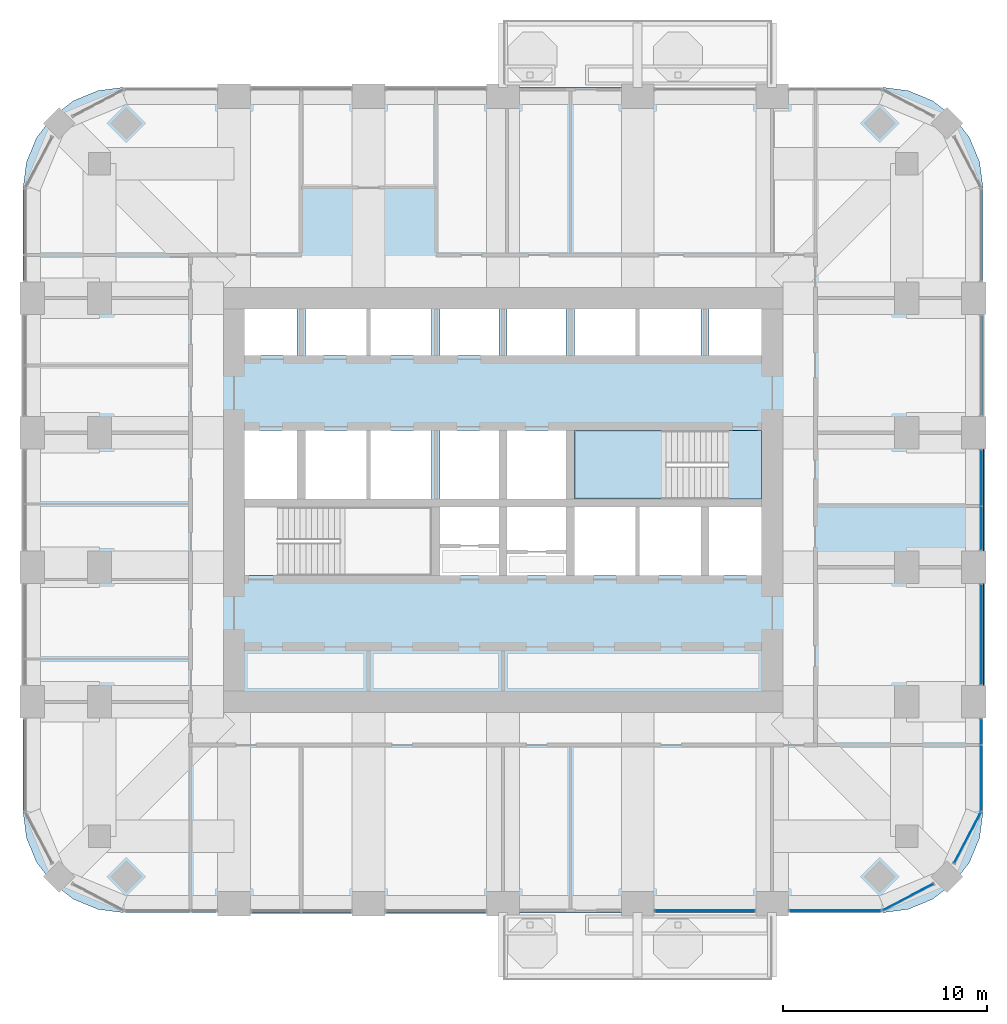
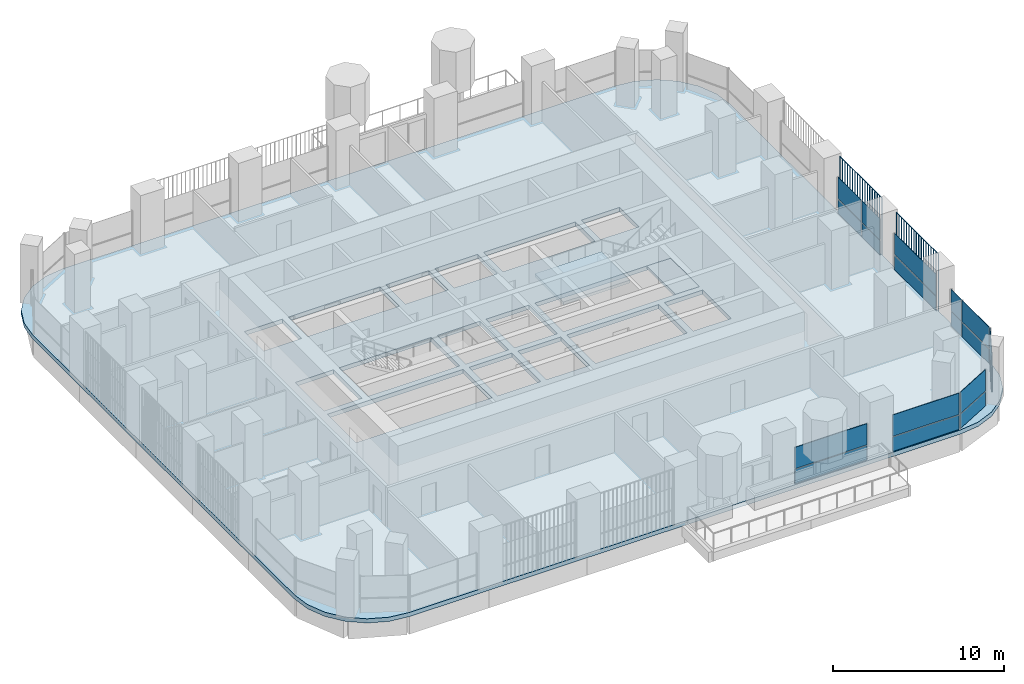
# One storey, part 10 of 20: 20 plates, 3 slabs, 8 elements without a shape of their own.
"""IFC4 building model written with IfcOpenShell, lengths in metres."""

from ifc_helpers import new_model, si_unit, direction, frame, origin, origin_2d, place, context, subcontext, project, spatial, polyline, rectangle, outline, extrude, material, layer, layer_set, type_object, element, aggregate, save


model = new_model("IFC4")

# Units and contexts
model_context = context("Model", 3, precision=1e-05, world=origin(), true_north=direction((0.0, 1.0)))
body_context = subcontext(model_context, "Body", "Model", "MODEL_VIEW")
ifc_project = project(units=[si_unit("LENGTHUNIT", "METRE"), si_unit("AREAUNIT", "SQUARE_METRE"), si_unit("VOLUMEUNIT", "CUBIC_METRE"), si_unit("PLANEANGLEUNIT", "RADIAN"), si_unit("MASSUNIT", "GRAM", prefix="KILO")], contexts=[model_context])

# Site, building, storey
site_placement = place(None, origin())
site = spatial("IfcSite", under=ifc_project, at=site_placement, CompositionType="ELEMENT")
building_placement = place(site_placement, origin())
building = spatial("IfcBuilding", under=site, at=building_placement, Name="Cobogo Forest Laboratory Tower", CompositionType="ELEMENT")
storey_placement = place(building_placement, frame((0.0, 0.0, 214.5)))
storey = spatial("IfcBuildingStorey", under=building, at=storey_placement, Name="L49", CompositionType="ELEMENT", Elevation=214.5)

# Slab
ifc_material_1 = material(Name="Concrete HA-40 (C40/50)", Category="concrete")
ifc_layer_1 = layer(ifc_material_1, 0.300048828125)
ifc_layer_set_1 = layer_set([ifc_layer_1], Name="Floor slab 300")
slab_type_1 = type_object("IfcSlabType", Name="Floor slab 300", PredefinedType="FLOOR", material=ifc_layer_set_1)
slab_1_placement = place(storey_placement, frame((0.0, 0.0, -0.300048828125)))
element("IfcSlab", 1, at=slab_1_placement, inside=storey, type_object=slab_type_1, Name="L49 floor slab", PredefinedType="FLOOR", context=body_context, shape_type="SweptSolid", body=[
    extrude(outline(polyline([(45.0, 2.85009765625), (46.28125, 3.0185546875), (47.47509765625, 3.51318359375), (48.500244140625, 4.2998046875), (49.286865234375, 5.324951171875), (49.78125, 6.518798828125), (49.949951171875, 7.800048828125), (49.949951171875, 38.39990234375), (49.78125, 39.68115234375), (49.286865234375, 40.875), (48.500244140625, 41.900146484375), (47.47509765625, 42.686767578125), (46.28125, 43.181396484375), (45.0, 43.35009765625), (7.800048828125, 43.35009765625), (6.518798828125, 43.181396484375), (5.324951171875, 42.686767578125), (4.2998046875, 41.900146484375), (3.51318359375, 40.875), (3.0185546875, 39.68115234375), (2.85009765625, 38.39990234375), (2.85009765625, 7.800048828125), (3.0185546875, 6.518798828125), (3.51318359375, 5.324951171875), (4.2998046875, 4.2998046875), (5.324951171875, 3.51318359375), (6.518798828125, 3.0185546875), (7.800048828125, 2.85009765625), (45.0, 2.85009765625)]), holes=[polyline([(22.89990234375, 19.39990234375), (13.72509765625, 19.39990234375), (13.72509765625, 22.75), (22.89990234375, 22.75), (22.89990234375, 19.39990234375)]), polyline([(26.199951171875, 19.39990234375), (23.300048828125, 19.39990234375), (23.300048828125, 22.75), (26.199951171875, 22.75), (26.199951171875, 19.39990234375)]), polyline([(29.5, 19.39990234375), (26.60009765625, 19.39990234375), (26.60009765625, 22.75), (29.5, 22.75), (29.5, 19.39990234375)]), polyline([(36.10009765625, 22.75), (36.10009765625, 19.39990234375), (29.89990234375, 19.39990234375), (29.89990234375, 22.75), (36.10009765625, 22.75)]), polyline([(36.5, 19.39990234375), (36.5, 22.75), (39.074951171875, 22.75), (39.074951171875, 19.39990234375), (36.5, 19.39990234375)]), polyline([(16.300048828125, 23.14990234375), (13.72509765625, 23.14990234375), (13.72509765625, 26.5), (16.300048828125, 26.5), (16.300048828125, 23.14990234375)]), polyline([(22.89990234375, 26.5), (22.89990234375, 23.14990234375), (16.699951171875, 23.14990234375), (16.699951171875, 26.5), (22.89990234375, 26.5)]), polyline([(26.199951171875, 23.14990234375), (23.300048828125, 23.14990234375), (23.300048828125, 26.5), (26.199951171875, 26.5), (26.199951171875, 23.14990234375)]), polyline([(26.60009765625, 23.14990234375), (26.60009765625, 26.5), (29.5, 26.5), (29.5, 23.14990234375), (26.60009765625, 23.14990234375)]), polyline([(39.074951171875, 23.14990234375), (29.89990234375, 23.14990234375), (29.89990234375, 26.5), (39.074951171875, 26.5), (39.074951171875, 23.14990234375)]), polyline([(16.300048828125, 30.199951171875), (13.72509765625, 30.199951171875), (13.72509765625, 32.47509765625), (16.300048828125, 32.47509765625), (16.300048828125, 30.199951171875)]), polyline([(22.89990234375, 32.47509765625), (22.89990234375, 30.199951171875), (16.699951171875, 30.199951171875), (16.699951171875, 32.47509765625), (22.89990234375, 32.47509765625)]), polyline([(23.300048828125, 30.199951171875), (23.300048828125, 32.47509765625), (26.199951171875, 32.47509765625), (26.199951171875, 30.199951171875), (23.300048828125, 30.199951171875)]), polyline([(29.5, 30.199951171875), (26.60009765625, 30.199951171875), (26.60009765625, 32.47509765625), (29.5, 32.47509765625), (29.5, 30.199951171875)]), polyline([(36.10009765625, 32.47509765625), (36.10009765625, 30.199951171875), (29.89990234375, 30.199951171875), (29.89990234375, 32.47509765625), (36.10009765625, 32.47509765625)]), polyline([(36.5, 30.199951171875), (36.5, 32.47509765625), (39.074951171875, 32.47509765625), (39.074951171875, 30.199951171875), (36.5, 30.199951171875)])]), origin(), (0.0, 0.0, 1.0), 0.300048828125),
])

# Curtain wall, plates
ifc_material_2 = material(Name="Aluminium curtain wall", Category="aluminium")
curtain_wall_type = type_object("IfcCurtainWallType", Name="CW-2 unitised curtain wall, solar control glazing, laboratory floors zones C and D", PredefinedType="USERDEFINED", material=ifc_material_2)
curtain_wall_1_placement = place(storey_placement, origin())
curtain_wall_1 = element("IfcCurtainWall", 2, at=curtain_wall_1_placement, inside=storey, type_object=curtain_wall_type, Name="Curtain wall 05 L49", ObjectType="UNITISED CURTAIN WALL", PredefinedType="USERDEFINED")
ifc_material_3 = material(Name="Solar control insulated glass", Category="glass")
ifc_layer_2 = layer(ifc_material_3, 0.031982421875)
ifc_layer_set_2 = layer_set([ifc_layer_2], Name="GP-2 solar control glass unit 32")
plate_type_1 = type_object("IfcPlateType", Name="GP-2 solar control glass unit 32", PredefinedType="CURTAIN_PANEL", material=ifc_layer_set_2)
plate_1_placement = place(storey_placement, frame((36.300048828125, 2.949951171875, 0.0), z_axis=(0.0, 0.0, 1.0), x_axis=(1.0, 0.0, 0.0)))
plate_1 = element("IfcPlate", 3, at=plate_1_placement, type_object=plate_type_1, Name="CW-2 panel 1.1", PredefinedType="CURTAIN_PANEL", context=body_context, shape_type="SweptSolid", body=[
    extrude(rectangle(XDim=4.8798828125, YDim=0.031982421875, at=origin_2d()), origin(), (0.0, 0.0, 1.0), 1.02001953125),
])
plate_2_placement = place(storey_placement, frame((36.300048828125, 2.949951171875, 1.080078125), z_axis=(0.0, 0.0, 1.0), x_axis=(1.0, 0.0, 0.0)))
plate_2 = element("IfcPlate", 4, at=plate_2_placement, type_object=plate_type_1, Name="CW-2 panel 1.2", PredefinedType="CURTAIN_PANEL", context=body_context, shape_type="SweptSolid", body=[
    extrude(rectangle(XDim=4.8798828125, YDim=0.031982421875, at=origin_2d()), origin(), (0.0, 0.0, 1.0), 1.52001953125),
])
aggregate(curtain_wall_1, [plate_1, plate_2])

curtain_wall_2_placement = place(storey_placement, origin())
curtain_wall_2 = element("IfcCurtainWall", 5, at=curtain_wall_2_placement, inside=storey, type_object=curtain_wall_type, Name="Curtain wall 06 L49", ObjectType="UNITISED CURTAIN WALL", PredefinedType="USERDEFINED")
plate_3_placement = place(storey_placement, frame((42.699951171875, 2.949951171875, 0.0), z_axis=(0.0, 0.0, 1.0), x_axis=(1.0, 0.0, 0.0)))
plate_3 = element("IfcPlate", 6, at=plate_3_placement, type_object=plate_type_1, Name="CW-2 panel 1.1", PredefinedType="CURTAIN_PANEL", context=body_context, shape_type="SweptSolid", body=[
    extrude(rectangle(XDim=4.47998046875, YDim=0.031982421875, at=origin_2d()), origin(), (0.0, 0.0, 1.0), 1.02001953125),
])
plate_4_placement = place(storey_placement, frame((42.699951171875, 2.949951171875, 1.080078125), z_axis=(0.0, 0.0, 1.0), x_axis=(1.0, 0.0, 0.0)))
plate_4 = element("IfcPlate", 7, at=plate_4_placement, type_object=plate_type_1, Name="CW-2 panel 1.2", PredefinedType="CURTAIN_PANEL", context=body_context, shape_type="SweptSolid", body=[
    extrude(rectangle(XDim=4.47998046875, YDim=0.031982421875, at=origin_2d()), origin(), (0.0, 0.0, 1.0), 1.52001953125),
])
aggregate(curtain_wall_2, [plate_3, plate_4])

curtain_wall_3_placement = place(storey_placement, origin())
curtain_wall_3 = element("IfcCurtainWall", 8, at=curtain_wall_3_placement, inside=storey, type_object=curtain_wall_type, Name="Curtain wall 07 L49", ObjectType="UNITISED CURTAIN WALL", PredefinedType="USERDEFINED")
plate_5_placement = place(storey_placement, frame((46.275634765625, 3.61865234375, 0.0), z_axis=(0.0, 0.0, 1.0), x_axis=(0.885686484356, 0.464283804832, 0.0)))
plate_5 = element("IfcPlate", 9, at=plate_5_placement, type_object=plate_type_1, Name="CW-2 panel 1.1", PredefinedType="CURTAIN_PANEL", context=body_context, shape_type="SweptSolid", body=[
    extrude(rectangle(XDim=2.76025390625, YDim=0.031982421875, at=origin_2d()), origin(), (0.0, 0.0, 1.0), 1.02001953125),
])
plate_6_placement = place(storey_placement, frame((46.275634765625, 3.61865234375, 1.080078125), z_axis=(0.0, 0.0, 1.0), x_axis=(0.885686484356, 0.464283804832, 0.0)))
plate_6 = element("IfcPlate", 10, at=plate_6_placement, type_object=plate_type_1, Name="CW-2 panel 1.2", PredefinedType="CURTAIN_PANEL", context=body_context, shape_type="SweptSolid", body=[
    extrude(rectangle(XDim=2.76025390625, YDim=0.031982421875, at=origin_2d()), origin(), (0.0, 0.0, 1.0), 1.52001953125),
])
aggregate(curtain_wall_3, [plate_5, plate_6])

curtain_wall_4_placement = place(storey_placement, origin())
curtain_wall_4 = element("IfcCurtainWall", 11, at=curtain_wall_4_placement, inside=storey, type_object=curtain_wall_type, Name="Curtain wall 08 L49", ObjectType="UNITISED CURTAIN WALL", PredefinedType="USERDEFINED")
plate_7_placement = place(storey_placement, frame((49.181396484375, 6.5244140625, 0.0), z_axis=(0.0, 0.0, 1.0), x_axis=(0.464283804832, 0.885686484356, 0.0)))
plate_7 = element("IfcPlate", 12, at=plate_7_placement, type_object=plate_type_1, Name="CW-2 panel 1.1", PredefinedType="CURTAIN_PANEL", context=body_context, shape_type="SweptSolid", body=[
    extrude(rectangle(XDim=2.76025390625, YDim=0.031982421875, at=origin_2d()), origin(), (0.0, 0.0, 1.0), 1.02001953125),
])
plate_8_placement = place(storey_placement, frame((49.181396484375, 6.5244140625, 1.080078125), z_axis=(0.0, 0.0, 1.0), x_axis=(0.464283804832, 0.885686484356, 0.0)))
plate_8 = element("IfcPlate", 13, at=plate_8_placement, type_object=plate_type_1, Name="CW-2 panel 1.2", PredefinedType="CURTAIN_PANEL", context=body_context, shape_type="SweptSolid", body=[
    extrude(rectangle(XDim=2.76025390625, YDim=0.031982421875, at=origin_2d()), origin(), (0.0, 0.0, 1.0), 1.52001953125),
])
aggregate(curtain_wall_4, [plate_7, plate_8])

curtain_wall_5_placement = place(storey_placement, origin())
curtain_wall_5 = element("IfcCurtainWall", 14, at=curtain_wall_5_placement, inside=storey, type_object=curtain_wall_type, Name="Curtain wall 09 L49", ObjectType="UNITISED CURTAIN WALL", PredefinedType="USERDEFINED")
plate_9_placement = place(storey_placement, frame((49.85009765625, 9.452392578125, 0.0), z_axis=(0.0, 0.0, 1.0), x_axis=(0.0, 1.0, 0.0)))
plate_9 = element("IfcPlate", 15, at=plate_9_placement, type_object=plate_type_1, Name="CW-2 panel 1.1", PredefinedType="CURTAIN_PANEL", context=body_context, shape_type="SweptSolid", body=[
    extrude(rectangle(XDim=3.18505859375, YDim=0.031982421875, at=origin_2d()), origin(), (0.0, 0.0, 1.0), 1.02001953125),
])
plate_10_placement = place(storey_placement, frame((49.85009765625, 9.452392578125, 1.080078125), z_axis=(0.0, 0.0, 1.0), x_axis=(0.0, 1.0, 0.0)))
plate_10 = element("IfcPlate", 16, at=plate_10_placement, type_object=plate_type_1, Name="CW-2 panel 1.2", PredefinedType="CURTAIN_PANEL", context=body_context, shape_type="SweptSolid", body=[
    extrude(rectangle(XDim=3.18505859375, YDim=0.031982421875, at=origin_2d()), origin(), (0.0, 0.0, 1.0), 1.52001953125),
])
plate_11_placement = place(storey_placement, frame((49.85009765625, 11.722412109375, 0.0), z_axis=(0.0, 0.0, 1.0), x_axis=(0.0, 1.0, 0.0)))
plate_11 = element("IfcPlate", 17, at=plate_11_placement, type_object=plate_type_1, Name="CW-2 panel 2.1", PredefinedType="CURTAIN_PANEL", context=body_context, shape_type="SweptSolid", body=[
    extrude(rectangle(XDim=1.235107421875, YDim=0.031982421875, at=origin_2d()), origin(), (0.0, 0.0, 1.0), 1.02001953125),
])
plate_12_placement = place(storey_placement, frame((49.85009765625, 11.722412109375, 1.080078125), z_axis=(0.0, 0.0, 1.0), x_axis=(0.0, 1.0, 0.0)))
plate_12 = element("IfcPlate", 18, at=plate_12_placement, type_object=plate_type_1, Name="CW-2 panel 2.2", PredefinedType="CURTAIN_PANEL", context=body_context, shape_type="SweptSolid", body=[
    extrude(rectangle(XDim=1.235107421875, YDim=0.031982421875, at=origin_2d()), origin(), (0.0, 0.0, 1.0), 1.52001953125),
])
aggregate(curtain_wall_5, [plate_9, plate_10, plate_11, plate_12])

curtain_wall_6_placement = place(storey_placement, origin())
curtain_wall_6 = element("IfcCurtainWall", 19, at=curtain_wall_6_placement, inside=storey, type_object=curtain_wall_type, Name="Curtain wall 10 L49", ObjectType="UNITISED CURTAIN WALL", PredefinedType="USERDEFINED")
plate_13_placement = place(storey_placement, frame((49.85009765625, 16.5, 0.0), z_axis=(0.0, 0.0, 1.0), x_axis=(0.0, 1.0, 0.0)))
plate_13 = element("IfcPlate", 20, at=plate_13_placement, type_object=plate_type_1, Name="CW-2 panel 1.1", PredefinedType="CURTAIN_PANEL", context=body_context, shape_type="SweptSolid", body=[
    extrude(rectangle(XDim=4.8798828125, YDim=0.031982421875, at=origin_2d()), origin(), (0.0, 0.0, 1.0), 1.02001953125),
])
plate_14_placement = place(storey_placement, frame((49.85009765625, 16.5, 1.080078125), z_axis=(0.0, 0.0, 1.0), x_axis=(0.0, 1.0, 0.0)))
plate_14 = element("IfcPlate", 21, at=plate_14_placement, type_object=plate_type_1, Name="CW-2 panel 1.2", PredefinedType="CURTAIN_PANEL", context=body_context, shape_type="SweptSolid", body=[
    extrude(rectangle(XDim=4.8798828125, YDim=0.031982421875, at=origin_2d()), origin(), (0.0, 0.0, 1.0), 1.52001953125),
])
aggregate(curtain_wall_6, [plate_13, plate_14])

curtain_wall_7_placement = place(storey_placement, origin())
curtain_wall_7 = element("IfcCurtainWall", 22, at=curtain_wall_7_placement, inside=storey, type_object=curtain_wall_type, Name="Curtain wall 11 L49", ObjectType="UNITISED CURTAIN WALL", PredefinedType="USERDEFINED")
plate_15_placement = place(storey_placement, frame((49.85009765625, 21.715087890625, 0.0), z_axis=(0.0, 0.0, 1.0), x_axis=(0.0, 1.0, 0.0)))
plate_15 = element("IfcPlate", 23, at=plate_15_placement, type_object=plate_type_1, Name="CW-2 panel 1.1", PredefinedType="CURTAIN_PANEL", context=body_context, shape_type="SweptSolid", body=[
    extrude(rectangle(XDim=2.110107421875, YDim=0.031982421875, at=origin_2d()), origin(), (0.0, 0.0, 1.0), 1.02001953125),
])
plate_16_placement = place(storey_placement, frame((49.85009765625, 21.715087890625, 1.080078125), z_axis=(0.0, 0.0, 1.0), x_axis=(0.0, 1.0, 0.0)))
plate_16 = element("IfcPlate", 24, at=plate_16_placement, type_object=plate_type_1, Name="CW-2 panel 1.2", PredefinedType="CURTAIN_PANEL", context=body_context, shape_type="SweptSolid", body=[
    extrude(rectangle(XDim=2.110107421875, YDim=0.031982421875, at=origin_2d()), origin(), (0.0, 0.0, 1.0), 1.52001953125),
])
plate_17_placement = place(storey_placement, frame((49.85009765625, 24.18505859375, 0.0), z_axis=(0.0, 0.0, 1.0), x_axis=(0.0, 1.0, 0.0)))
plate_17 = element("IfcPlate", 25, at=plate_17_placement, type_object=plate_type_1, Name="CW-2 panel 2.1", PredefinedType="CURTAIN_PANEL", context=body_context, shape_type="SweptSolid", body=[
    extrude(rectangle(XDim=2.7099609375, YDim=0.031982421875, at=origin_2d()), origin(), (0.0, 0.0, 1.0), 1.02001953125),
])
plate_18_placement = place(storey_placement, frame((49.85009765625, 24.18505859375, 1.080078125), z_axis=(0.0, 0.0, 1.0), x_axis=(0.0, 1.0, 0.0)))
plate_18 = element("IfcPlate", 26, at=plate_18_placement, type_object=plate_type_1, Name="CW-2 panel 2.2", PredefinedType="CURTAIN_PANEL", context=body_context, shape_type="SweptSolid", body=[
    extrude(rectangle(XDim=2.7099609375, YDim=0.031982421875, at=origin_2d()), origin(), (0.0, 0.0, 1.0), 1.52001953125),
])
aggregate(curtain_wall_7, [plate_15, plate_16, plate_17, plate_18])

# Stair, slabs
ifc_material_4 = material(Name="Precast concrete HA-40 (C40/50)", Category="concrete")
stair_type = type_object("IfcStairType", Name="ST24 exit stair 24 risers", PredefinedType="HALF_TURN_STAIR", material=ifc_material_4)
stair_placement = place(storey_placement, origin())
stair = element("IfcStair", 27, at=stair_placement, inside=storey, type_object=stair_type, Name="Stair 2 L49 to L50", PredefinedType="HALF_TURN_STAIR")
ifc_layer_3 = layer(ifc_material_1, 0.199951171875)
ifc_layer_set_3 = layer_set([ifc_layer_3], Name="SL stair landing 200")
slab_type_2 = type_object("IfcSlabType", Name="SL stair landing 200", PredefinedType="LANDING", material=ifc_layer_set_3)
slab_2_placement = place(storey_placement, frame((0.0, 0.0, -0.199951171875)))
slab_2 = element("IfcSlab", 28, at=slab_2_placement, type_object=slab_type_2, Name="ST2 landing 1", PredefinedType="LANDING", context=body_context, shape_type="SweptSolid", body=[
    extrude(outline(polyline([(37.472900390625, 23.14990234375), (39.074951171875, 23.14990234375), (39.074951171875, 26.5), (37.472900390625, 26.5), (37.472900390625, 23.14990234375)])), origin(), (0.0, 0.0, 1.0), 0.199951171875),
])
slab_3_placement = place(storey_placement, frame((0.0, 0.0, 1.89990234375)))
slab_3 = element("IfcSlab", 29, at=slab_3_placement, type_object=slab_type_2, Name="ST2 landing 2", PredefinedType="LANDING", context=body_context, shape_type="SweptSolid", body=[
    extrude(outline(polyline([(29.89990234375, 23.14990234375), (34.39697265625, 23.14990234375), (34.39697265625, 26.5), (29.89990234375, 26.5), (29.89990234375, 23.14990234375)])), origin(), (0.0, 0.0, 1.0), 0.2001953125),
])
aggregate(stair, [slab_2, slab_3])

# Plates
ifc_material_5 = material(Name="Terracotta", Category="masonry")
plate_type_2 = type_object("IfcPlateType", Name="TB1 terracotta baguette screen", PredefinedType="USERDEFINED", material=ifc_material_5)
plate_19_placement = place(storey_placement, frame((49.977783203125, 14.03125, -0.14990234375)))
element("IfcPlate", 30, at=plate_19_placement, inside=storey, type_object=plate_type_2, Name="Baguette screen E1 L49", ObjectType="BAGUETTE SCREEN", PredefinedType="USERDEFINED", context=body_context, shape_type="SweptSolid", body=[
    extrude(outline(polyline([(0.02880859375, 0.011962890625), (0.011962890625, 0.02880859375), (-0.011962890625, 0.02880859375), (-0.02880859375, 0.011962890625), (-0.02880859375, -0.011962890625), (-0.011962890625, -0.02880859375), (0.011962890625, -0.02880859375), (0.02880859375, -0.011962890625), (0.02880859375, 0.011962890625)])), frame((0.0, 0.0, 4.168701171875), z_axis=(0.0, 1.0, 0.0), x_axis=(-1.0, 0.0, 0.0)), (0.0, 0.0, 1.0), 4.9375),
    extrude(outline(polyline([(0.02880859375, 0.011962890625), (0.011962890625, 0.02880859375), (-0.011962890625, 0.02880859375), (-0.02880859375, 0.011962890625), (-0.02880859375, -0.011962890625), (-0.011962890625, -0.02880859375), (0.011962890625, -0.02880859375), (0.02880859375, -0.011962890625), (0.02880859375, 0.011962890625)])), origin(), (0.0, 0.0, 1.0), 4.137451171875),
    extrude(outline(polyline([(0.02880859375, 0.011962890625), (0.011962890625, 0.02880859375), (-0.011962890625, 0.02880859375), (-0.02880859375, 0.011962890625), (-0.02880859375, -0.011962890625), (-0.011962890625, -0.02880859375), (0.011962890625, -0.02880859375), (0.02880859375, -0.011962890625), (0.02880859375, 0.011962890625)])), frame((0.0, 0.29052734375, 0.0)), (0.0, 0.0, 1.0), 4.137451171875),
    extrude(outline(polyline([(0.02880859375, 0.011962890625), (0.011962890625, 0.02880859375), (-0.011962890625, 0.02880859375), (-0.02880859375, 0.011962890625), (-0.02880859375, -0.011962890625), (-0.011962890625, -0.02880859375), (0.011962890625, -0.02880859375), (0.02880859375, -0.011962890625), (0.02880859375, 0.011962890625)])), frame((0.0, 0.580810546875, 0.0)), (0.0, 0.0, 1.0), 4.137451171875),
    extrude(outline(polyline([(0.02880859375, 0.011962890625), (0.011962890625, 0.02880859375), (-0.011962890625, 0.02880859375), (-0.02880859375, 0.011962890625), (-0.02880859375, -0.011962890625), (-0.011962890625, -0.02880859375), (0.011962890625, -0.02880859375), (0.02880859375, -0.011962890625), (0.02880859375, 0.011962890625)])), frame((0.0, 0.871337890625, 0.0)), (0.0, 0.0, 1.0), 4.137451171875),
    extrude(outline(polyline([(0.02880859375, 0.011962890625), (0.011962890625, 0.02880859375), (-0.011962890625, 0.02880859375), (-0.02880859375, 0.011962890625), (-0.02880859375, -0.011962890625), (-0.011962890625, -0.02880859375), (0.011962890625, -0.02880859375), (0.02880859375, -0.011962890625), (0.02880859375, 0.011962890625)])), frame((0.0, 1.161865234375, 0.0)), (0.0, 0.0, 1.0), 4.137451171875),
    extrude(outline(polyline([(0.02880859375, 0.011962890625), (0.011962890625, 0.02880859375), (-0.011962890625, 0.02880859375), (-0.02880859375, 0.011962890625), (-0.02880859375, -0.011962890625), (-0.011962890625, -0.02880859375), (0.011962890625, -0.02880859375), (0.02880859375, -0.011962890625), (0.02880859375, 0.011962890625)])), frame((0.0, 1.4521484375, 0.0)), (0.0, 0.0, 1.0), 4.137451171875),
    extrude(outline(polyline([(0.02880859375, 0.011962890625), (0.011962890625, 0.02880859375), (-0.011962890625, 0.02880859375), (-0.02880859375, 0.011962890625), (-0.02880859375, -0.011962890625), (-0.011962890625, -0.02880859375), (0.011962890625, -0.02880859375), (0.02880859375, -0.011962890625), (0.02880859375, 0.011962890625)])), frame((0.0, 1.74267578125, 0.0)), (0.0, 0.0, 1.0), 4.137451171875),
    extrude(outline(polyline([(0.02880859375, 0.011962890625), (0.011962890625, 0.02880859375), (-0.011962890625, 0.02880859375), (-0.02880859375, 0.011962890625), (-0.02880859375, -0.011962890625), (-0.011962890625, -0.02880859375), (0.011962890625, -0.02880859375), (0.02880859375, -0.011962890625), (0.02880859375, 0.011962890625)])), frame((0.0, 2.033203125, 0.0)), (0.0, 0.0, 1.0), 4.137451171875),
    extrude(outline(polyline([(0.02880859375, 0.011962890625), (0.011962890625, 0.02880859375), (-0.011962890625, 0.02880859375), (-0.02880859375, 0.011962890625), (-0.02880859375, -0.011962890625), (-0.011962890625, -0.02880859375), (0.011962890625, -0.02880859375), (0.02880859375, -0.011962890625), (0.02880859375, 0.011962890625)])), frame((0.0, 2.323486328125, 0.0)), (0.0, 0.0, 1.0), 4.137451171875),
    extrude(outline(polyline([(0.02880859375, 0.011962890625), (0.011962890625, 0.02880859375), (-0.011962890625, 0.02880859375), (-0.02880859375, 0.011962890625), (-0.02880859375, -0.011962890625), (-0.011962890625, -0.02880859375), (0.011962890625, -0.02880859375), (0.02880859375, -0.011962890625), (0.02880859375, 0.011962890625)])), frame((0.0, 2.614013671875, 0.0)), (0.0, 0.0, 1.0), 4.137451171875),
    extrude(outline(polyline([(0.02880859375, 0.011962890625), (0.011962890625, 0.02880859375), (-0.011962890625, 0.02880859375), (-0.02880859375, 0.011962890625), (-0.02880859375, -0.011962890625), (-0.011962890625, -0.02880859375), (0.011962890625, -0.02880859375), (0.02880859375, -0.011962890625), (0.02880859375, 0.011962890625)])), frame((0.0, 2.904296875, 0.0)), (0.0, 0.0, 1.0), 4.137451171875),
    extrude(outline(polyline([(0.02880859375, 0.011962890625), (0.011962890625, 0.02880859375), (-0.011962890625, 0.02880859375), (-0.02880859375, 0.011962890625), (-0.02880859375, -0.011962890625), (-0.011962890625, -0.02880859375), (0.011962890625, -0.02880859375), (0.02880859375, -0.011962890625), (0.02880859375, 0.011962890625)])), frame((0.0, 3.19482421875, 0.0)), (0.0, 0.0, 1.0), 4.137451171875),
    extrude(outline(polyline([(0.02880859375, 0.011962890625), (0.011962890625, 0.02880859375), (-0.011962890625, 0.02880859375), (-0.02880859375, 0.011962890625), (-0.02880859375, -0.011962890625), (-0.011962890625, -0.02880859375), (0.011962890625, -0.02880859375), (0.02880859375, -0.011962890625), (0.02880859375, 0.011962890625)])), frame((0.0, 3.4853515625, 0.0)), (0.0, 0.0, 1.0), 4.137451171875),
    extrude(outline(polyline([(0.02880859375, 0.011962890625), (0.011962890625, 0.02880859375), (-0.011962890625, 0.02880859375), (-0.02880859375, 0.011962890625), (-0.02880859375, -0.011962890625), (-0.011962890625, -0.02880859375), (0.011962890625, -0.02880859375), (0.02880859375, -0.011962890625), (0.02880859375, 0.011962890625)])), frame((0.0, 3.775634765625, 0.0)), (0.0, 0.0, 1.0), 4.137451171875),
    extrude(outline(polyline([(0.02880859375, 0.011962890625), (0.011962890625, 0.02880859375), (-0.011962890625, 0.02880859375), (-0.02880859375, 0.011962890625), (-0.02880859375, -0.011962890625), (-0.011962890625, -0.02880859375), (0.011962890625, -0.02880859375), (0.02880859375, -0.011962890625), (0.02880859375, 0.011962890625)])), frame((0.0, 4.066162109375, 0.0)), (0.0, 0.0, 1.0), 4.137451171875),
    extrude(outline(polyline([(0.02880859375, 0.011962890625), (0.011962890625, 0.02880859375), (-0.011962890625, 0.02880859375), (-0.02880859375, 0.011962890625), (-0.02880859375, -0.011962890625), (-0.011962890625, -0.02880859375), (0.011962890625, -0.02880859375), (0.02880859375, -0.011962890625), (0.02880859375, 0.011962890625)])), frame((0.0, 4.356689453125, 0.0)), (0.0, 0.0, 1.0), 4.137451171875),
    extrude(outline(polyline([(0.02880859375, 0.011962890625), (0.011962890625, 0.02880859375), (-0.011962890625, 0.02880859375), (-0.02880859375, 0.011962890625), (-0.02880859375, -0.011962890625), (-0.011962890625, -0.02880859375), (0.011962890625, -0.02880859375), (0.02880859375, -0.011962890625), (0.02880859375, 0.011962890625)])), frame((0.0, 4.64697265625, 0.0)), (0.0, 0.0, 1.0), 4.137451171875),
    extrude(outline(polyline([(0.02880859375, 0.011962890625), (0.011962890625, 0.02880859375), (-0.011962890625, 0.02880859375), (-0.02880859375, 0.011962890625), (-0.02880859375, -0.011962890625), (-0.011962890625, -0.02880859375), (0.011962890625, -0.02880859375), (0.02880859375, -0.011962890625), (0.02880859375, 0.011962890625)])), frame((0.0, 4.9375, 0.0)), (0.0, 0.0, 1.0), 4.137451171875),
])
plate_20_placement = place(storey_placement, frame((49.977783203125, 20.63134765625, -0.14990234375)))
element("IfcPlate", 31, at=plate_20_placement, inside=storey, type_object=plate_type_2, Name="Baguette screen E2 L49", ObjectType="BAGUETTE SCREEN", PredefinedType="USERDEFINED", context=body_context, shape_type="SweptSolid", body=[
    extrude(outline(polyline([(0.02880859375, 0.011962890625), (0.011962890625, 0.02880859375), (-0.011962890625, 0.02880859375), (-0.02880859375, 0.011962890625), (-0.02880859375, -0.011962890625), (-0.011962890625, -0.02880859375), (0.011962890625, -0.02880859375), (0.02880859375, -0.011962890625), (0.02880859375, 0.011962890625)])), frame((0.0, 0.0, 4.168701171875), z_axis=(0.0, 1.0, 0.0), x_axis=(-1.0, 0.0, 0.0)), (0.0, 0.0, 1.0), 4.9375),
    extrude(outline(polyline([(0.02880859375, 0.011962890625), (0.011962890625, 0.02880859375), (-0.011962890625, 0.02880859375), (-0.02880859375, 0.011962890625), (-0.02880859375, -0.011962890625), (-0.011962890625, -0.02880859375), (0.011962890625, -0.02880859375), (0.02880859375, -0.011962890625), (0.02880859375, 0.011962890625)])), origin(), (0.0, 0.0, 1.0), 4.137451171875),
    extrude(outline(polyline([(0.02880859375, 0.011962890625), (0.011962890625, 0.02880859375), (-0.011962890625, 0.02880859375), (-0.02880859375, 0.011962890625), (-0.02880859375, -0.011962890625), (-0.011962890625, -0.02880859375), (0.011962890625, -0.02880859375), (0.02880859375, -0.011962890625), (0.02880859375, 0.011962890625)])), frame((0.0, 0.29052734375, 0.0)), (0.0, 0.0, 1.0), 4.137451171875),
    extrude(outline(polyline([(0.02880859375, 0.011962890625), (0.011962890625, 0.02880859375), (-0.011962890625, 0.02880859375), (-0.02880859375, 0.011962890625), (-0.02880859375, -0.011962890625), (-0.011962890625, -0.02880859375), (0.011962890625, -0.02880859375), (0.02880859375, -0.011962890625), (0.02880859375, 0.011962890625)])), frame((0.0, 0.580810546875, 0.0)), (0.0, 0.0, 1.0), 4.137451171875),
    extrude(outline(polyline([(0.02880859375, 0.011962890625), (0.011962890625, 0.02880859375), (-0.011962890625, 0.02880859375), (-0.02880859375, 0.011962890625), (-0.02880859375, -0.011962890625), (-0.011962890625, -0.02880859375), (0.011962890625, -0.02880859375), (0.02880859375, -0.011962890625), (0.02880859375, 0.011962890625)])), frame((0.0, 0.871337890625, 0.0)), (0.0, 0.0, 1.0), 4.137451171875),
    extrude(outline(polyline([(0.02880859375, 0.011962890625), (0.011962890625, 0.02880859375), (-0.011962890625, 0.02880859375), (-0.02880859375, 0.011962890625), (-0.02880859375, -0.011962890625), (-0.011962890625, -0.02880859375), (0.011962890625, -0.02880859375), (0.02880859375, -0.011962890625), (0.02880859375, 0.011962890625)])), frame((0.0, 1.161865234375, 0.0)), (0.0, 0.0, 1.0), 4.137451171875),
    extrude(outline(polyline([(0.02880859375, 0.011962890625), (0.011962890625, 0.02880859375), (-0.011962890625, 0.02880859375), (-0.02880859375, 0.011962890625), (-0.02880859375, -0.011962890625), (-0.011962890625, -0.02880859375), (0.011962890625, -0.02880859375), (0.02880859375, -0.011962890625), (0.02880859375, 0.011962890625)])), frame((0.0, 1.4521484375, 0.0)), (0.0, 0.0, 1.0), 4.137451171875),
    extrude(outline(polyline([(0.02880859375, 0.011962890625), (0.011962890625, 0.02880859375), (-0.011962890625, 0.02880859375), (-0.02880859375, 0.011962890625), (-0.02880859375, -0.011962890625), (-0.011962890625, -0.02880859375), (0.011962890625, -0.02880859375), (0.02880859375, -0.011962890625), (0.02880859375, 0.011962890625)])), frame((0.0, 1.74267578125, 0.0)), (0.0, 0.0, 1.0), 4.137451171875),
    extrude(outline(polyline([(0.02880859375, 0.011962890625), (0.011962890625, 0.02880859375), (-0.011962890625, 0.02880859375), (-0.02880859375, 0.011962890625), (-0.02880859375, -0.011962890625), (-0.011962890625, -0.02880859375), (0.011962890625, -0.02880859375), (0.02880859375, -0.011962890625), (0.02880859375, 0.011962890625)])), frame((0.0, 2.033203125, 0.0)), (0.0, 0.0, 1.0), 4.137451171875),
    extrude(outline(polyline([(0.02880859375, 0.011962890625), (0.011962890625, 0.02880859375), (-0.011962890625, 0.02880859375), (-0.02880859375, 0.011962890625), (-0.02880859375, -0.011962890625), (-0.011962890625, -0.02880859375), (0.011962890625, -0.02880859375), (0.02880859375, -0.011962890625), (0.02880859375, 0.011962890625)])), frame((0.0, 2.323486328125, 0.0)), (0.0, 0.0, 1.0), 4.137451171875),
    extrude(outline(polyline([(0.02880859375, 0.011962890625), (0.011962890625, 0.02880859375), (-0.011962890625, 0.02880859375), (-0.02880859375, 0.011962890625), (-0.02880859375, -0.011962890625), (-0.011962890625, -0.02880859375), (0.011962890625, -0.02880859375), (0.02880859375, -0.011962890625), (0.02880859375, 0.011962890625)])), frame((0.0, 2.614013671875, 0.0)), (0.0, 0.0, 1.0), 4.137451171875),
    extrude(outline(polyline([(0.02880859375, 0.011962890625), (0.011962890625, 0.02880859375), (-0.011962890625, 0.02880859375), (-0.02880859375, 0.011962890625), (-0.02880859375, -0.011962890625), (-0.011962890625, -0.02880859375), (0.011962890625, -0.02880859375), (0.02880859375, -0.011962890625), (0.02880859375, 0.011962890625)])), frame((0.0, 2.904296875, 0.0)), (0.0, 0.0, 1.0), 4.137451171875),
    extrude(outline(polyline([(0.02880859375, 0.011962890625), (0.011962890625, 0.02880859375), (-0.011962890625, 0.02880859375), (-0.02880859375, 0.011962890625), (-0.02880859375, -0.011962890625), (-0.011962890625, -0.02880859375), (0.011962890625, -0.02880859375), (0.02880859375, -0.011962890625), (0.02880859375, 0.011962890625)])), frame((0.0, 3.19482421875, 0.0)), (0.0, 0.0, 1.0), 4.137451171875),
    extrude(outline(polyline([(0.02880859375, 0.011962890625), (0.011962890625, 0.02880859375), (-0.011962890625, 0.02880859375), (-0.02880859375, 0.011962890625), (-0.02880859375, -0.011962890625), (-0.011962890625, -0.02880859375), (0.011962890625, -0.02880859375), (0.02880859375, -0.011962890625), (0.02880859375, 0.011962890625)])), frame((0.0, 3.4853515625, 0.0)), (0.0, 0.0, 1.0), 4.137451171875),
    extrude(outline(polyline([(0.02880859375, 0.011962890625), (0.011962890625, 0.02880859375), (-0.011962890625, 0.02880859375), (-0.02880859375, 0.011962890625), (-0.02880859375, -0.011962890625), (-0.011962890625, -0.02880859375), (0.011962890625, -0.02880859375), (0.02880859375, -0.011962890625), (0.02880859375, 0.011962890625)])), frame((0.0, 3.775634765625, 0.0)), (0.0, 0.0, 1.0), 4.137451171875),
    extrude(outline(polyline([(0.02880859375, 0.011962890625), (0.011962890625, 0.02880859375), (-0.011962890625, 0.02880859375), (-0.02880859375, 0.011962890625), (-0.02880859375, -0.011962890625), (-0.011962890625, -0.02880859375), (0.011962890625, -0.02880859375), (0.02880859375, -0.011962890625), (0.02880859375, 0.011962890625)])), frame((0.0, 4.066162109375, 0.0)), (0.0, 0.0, 1.0), 4.137451171875),
    extrude(outline(polyline([(0.02880859375, 0.011962890625), (0.011962890625, 0.02880859375), (-0.011962890625, 0.02880859375), (-0.02880859375, 0.011962890625), (-0.02880859375, -0.011962890625), (-0.011962890625, -0.02880859375), (0.011962890625, -0.02880859375), (0.02880859375, -0.011962890625), (0.02880859375, 0.011962890625)])), frame((0.0, 4.356689453125, 0.0)), (0.0, 0.0, 1.0), 4.137451171875),
    extrude(outline(polyline([(0.02880859375, 0.011962890625), (0.011962890625, 0.02880859375), (-0.011962890625, 0.02880859375), (-0.02880859375, 0.011962890625), (-0.02880859375, -0.011962890625), (-0.011962890625, -0.02880859375), (0.011962890625, -0.02880859375), (0.02880859375, -0.011962890625), (0.02880859375, 0.011962890625)])), frame((0.0, 4.64697265625, 0.0)), (0.0, 0.0, 1.0), 4.137451171875),
    extrude(outline(polyline([(0.02880859375, 0.011962890625), (0.011962890625, 0.02880859375), (-0.011962890625, 0.02880859375), (-0.02880859375, 0.011962890625), (-0.02880859375, -0.011962890625), (-0.011962890625, -0.02880859375), (0.011962890625, -0.02880859375), (0.02880859375, -0.011962890625), (0.02880859375, 0.011962890625)])), frame((0.0, 4.9375, 0.0)), (0.0, 0.0, 1.0), 4.137451171875),
])

save(model, "model.ifc")
